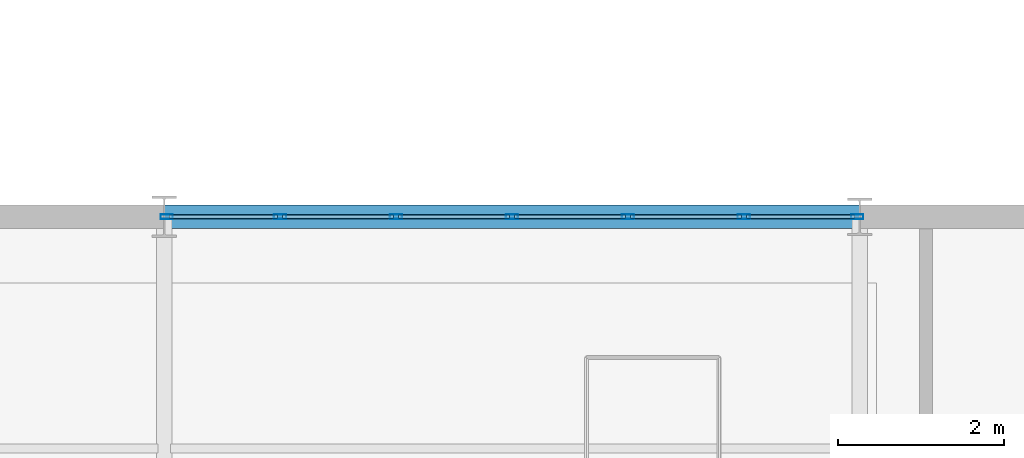
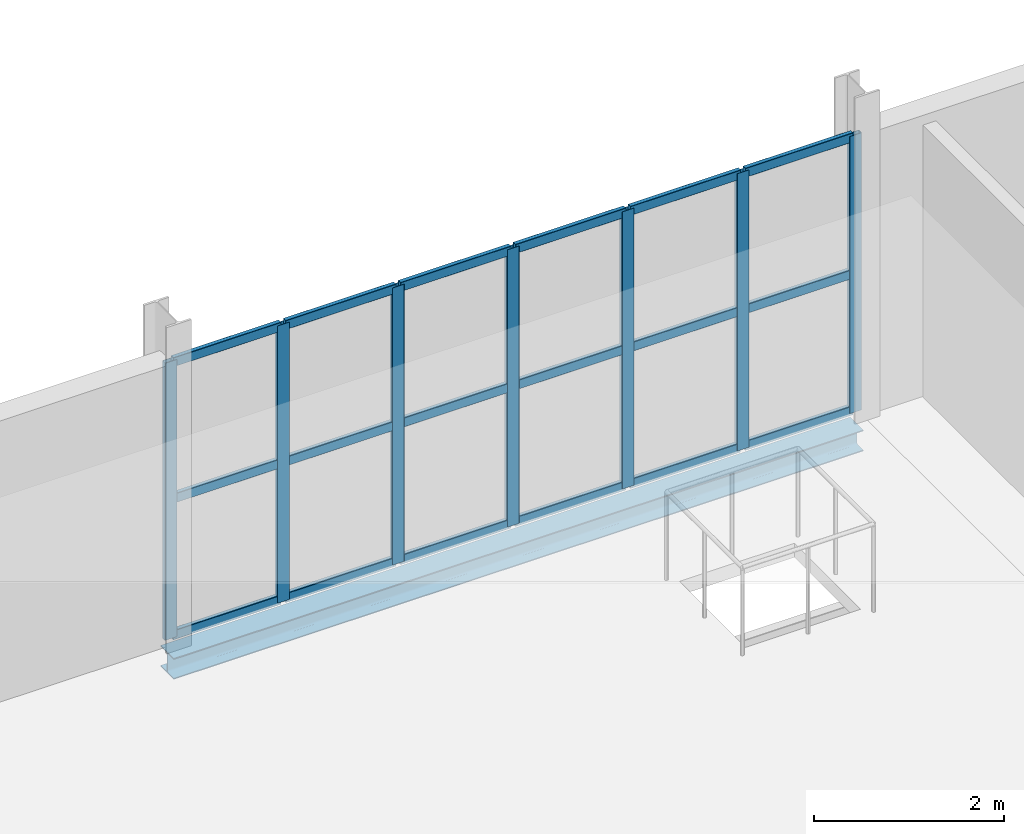
# One storey, part 27 of 65: 25 members, 1 beam, 1 element without a shape of its own.
"""IFC4 building model written with IfcOpenShell, lengths in metres."""

from ifc_helpers import new_model, si_unit, direction, frame, origin, origin_2d, place, context, subcontext, project, spatial, hollow_rectangle, i_section, extrude, material, layer, layer_set, material_profile, profile_set, type_object, element, aggregate, save


model = new_model("IFC4")

# Units and contexts
model_context = context("Model", 3, precision=1e-05, world=origin(), true_north=direction((0.0, 1.0)))
body_context = subcontext(model_context, "Body", "Model", "MODEL_VIEW")
ifc_project = project(units=[si_unit("LENGTHUNIT", "METRE"), si_unit("AREAUNIT", "SQUARE_METRE"), si_unit("VOLUMEUNIT", "CUBIC_METRE"), si_unit("PLANEANGLEUNIT", "RADIAN"), si_unit("MASSUNIT", "GRAM", prefix="KILO")], contexts=[model_context])

# Site, building, storey
site_placement = place(None, origin())
site = spatial("IfcSite", under=ifc_project, at=site_placement, CompositionType="ELEMENT")
building_placement = place(site_placement, origin())
building = spatial("IfcBuilding", under=site, at=building_placement, Name="Qalvenar Corner Mobility Hub", CompositionType="ELEMENT")
storey_placement = place(building_placement, frame((0.0, 0.0, 17.39990234375)))
storey = spatial("IfcBuildingStorey", under=building, at=storey_placement, Name="L04", CompositionType="ELEMENT", Elevation=17.39990234375)

# Beam
ifc_material_1 = material(Name="Steel S355", Category="steel")
ifc_material_profile_1 = material_profile(ifc_material_1, i_section(OverallWidth=0.280029296875, OverallDepth=0.27001953125, WebThickness=0.008056640625, FlangeThickness=0.012939453125, FilletRadius=0.02392578125, at=origin_2d()), Name="HEA280")
ifc_profile_set_1 = profile_set([ifc_material_profile_1], Name="Steel S355")
beam_type = type_object("IfcBeamType", Name="BM-SPN280", PredefinedType="SPANDREL", material=ifc_profile_set_1)
beam_placement = place(storey_placement, frame((16.800048828125, 42.0, -0.31494140625), z_axis=(1.0, 0.0, 0.0), x_axis=(0.0, 1.0, 0.0)))
element("IfcBeam", 1, at=beam_placement, inside=storey, type_object=beam_type, Name="Primary Steel Girder GX-2623", PredefinedType="SPANDREL", context=body_context, shape_type="SweptSolid", body=[
    extrude(i_section(OverallWidth=0.280029296875, OverallDepth=0.27001953125, WebThickness=0.008056640625, FlangeThickness=0.012939453125, FilletRadius=0.02392578125, at=origin_2d()), origin(), (0.0, 0.0, 1.0), 8.39990234375),
])

# Curtain wall, members
ifc_material_2 = material(Name="Anodised Aluminium and Low-E Glazing", Category="aluminium")
ifc_layer = layer(ifc_material_2, 0.14990234375)
ifc_layer_set = layer_set([ifc_layer], Name="Anodised Aluminium and Low-E Glazing")
curtain_wall_type = type_object("IfcCurtainWallType", Name="CW-CIV-84X40", PredefinedType="NOTDEFINED", material=ifc_layer_set)
curtain_wall_placement = place(storey_placement, origin())
curtain_wall = element("IfcCurtainWall", 2, at=curtain_wall_placement, inside=storey, type_object=curtain_wall_type, Name="Glazed Curtain Wall CW-V3-L04-N2", PredefinedType="NOTDEFINED")
ifc_material_3 = material(Name="Anodised Aluminium 6063-T6", Category="aluminium")
ifc_material_profile_2 = material_profile(ifc_material_3, hollow_rectangle(XDim=0.06005859375, YDim=0.14990234375, WallThickness=0.00390625, InnerFilletRadius=0.00390625, OuterFilletRadius=0.008056640625, at=origin_2d()), Name="RHS150x60x4")
ifc_profile_set_2 = profile_set([ifc_material_profile_2], Name="Anodised Aluminium 6063-T6")
member_type_1 = type_object("IfcMemberType", Name="CW-MUL150", PredefinedType="MULLION", material=ifc_profile_set_2)
member_1_placement = place(storey_placement, frame((25.169921875, 42.0, 0.0), z_axis=(0.0, 0.0, 1.0), x_axis=(0.0, -1.0, 0.0)))
member_1 = element("IfcMember", 3, at=member_1_placement, type_object=member_type_1, Name="CW-05 mullion 1", PredefinedType="MULLION", context=body_context, shape_type="SweptSolid", body=[
    extrude(hollow_rectangle(XDim=0.06005859375, YDim=0.14990234375, WallThickness=0.00390625, InnerFilletRadius=0.00390625, OuterFilletRadius=0.008056640625, at=origin_2d()), origin(), (0.0, 0.0, 1.0), 3.570068359375),
])
member_2_placement = place(storey_placement, frame((23.800048828125, 42.0, 0.0), z_axis=(0.0, 0.0, 1.0), x_axis=(0.0, -1.0, 0.0)))
member_2 = element("IfcMember", 4, at=member_2_placement, type_object=member_type_1, Name="CW-05 mullion 2", PredefinedType="MULLION", context=body_context, shape_type="SweptSolid", body=[
    extrude(hollow_rectangle(XDim=0.06005859375, YDim=0.14990234375, WallThickness=0.00390625, InnerFilletRadius=0.00390625, OuterFilletRadius=0.008056640625, at=origin_2d()), origin(), (0.0, 0.0, 1.0), 3.570068359375),
])
member_3_placement = place(storey_placement, frame((22.39990234375, 42.0, 0.0), z_axis=(0.0, 0.0, 1.0), x_axis=(0.0, -1.0, 0.0)))
member_3 = element("IfcMember", 5, at=member_3_placement, type_object=member_type_1, Name="CW-05 mullion 3", PredefinedType="MULLION", context=body_context, shape_type="SweptSolid", body=[
    extrude(hollow_rectangle(XDim=0.06005859375, YDim=0.14990234375, WallThickness=0.00390625, InnerFilletRadius=0.00390625, OuterFilletRadius=0.008056640625, at=origin_2d()), origin(), (0.0, 0.0, 1.0), 3.570068359375),
])
member_4_placement = place(storey_placement, frame((21.0, 42.0, 0.0), z_axis=(0.0, 0.0, 1.0), x_axis=(0.0, -1.0, 0.0)))
member_4 = element("IfcMember", 6, at=member_4_placement, type_object=member_type_1, Name="CW-05 mullion 4", PredefinedType="MULLION", context=body_context, shape_type="SweptSolid", body=[
    extrude(hollow_rectangle(XDim=0.06005859375, YDim=0.14990234375, WallThickness=0.00390625, InnerFilletRadius=0.00390625, OuterFilletRadius=0.008056640625, at=origin_2d()), origin(), (0.0, 0.0, 1.0), 3.570068359375),
])
member_5_placement = place(storey_placement, frame((19.60009765625, 42.0, 0.0), z_axis=(0.0, 0.0, 1.0), x_axis=(0.0, -1.0, 0.0)))
member_5 = element("IfcMember", 7, at=member_5_placement, type_object=member_type_1, Name="CW-05 mullion 5", PredefinedType="MULLION", context=body_context, shape_type="SweptSolid", body=[
    extrude(hollow_rectangle(XDim=0.06005859375, YDim=0.14990234375, WallThickness=0.00390625, InnerFilletRadius=0.00390625, OuterFilletRadius=0.008056640625, at=origin_2d()), origin(), (0.0, 0.0, 1.0), 3.570068359375),
])
member_6_placement = place(storey_placement, frame((18.199951171875, 42.0, 0.0), z_axis=(0.0, 0.0, 1.0), x_axis=(0.0, -1.0, 0.0)))
member_6 = element("IfcMember", 8, at=member_6_placement, type_object=member_type_1, Name="CW-05 mullion 6", PredefinedType="MULLION", context=body_context, shape_type="SweptSolid", body=[
    extrude(hollow_rectangle(XDim=0.06005859375, YDim=0.14990234375, WallThickness=0.00390625, InnerFilletRadius=0.00390625, OuterFilletRadius=0.008056640625, at=origin_2d()), origin(), (0.0, 0.0, 1.0), 3.570068359375),
])
member_7_placement = place(storey_placement, frame((16.830078125, 42.0, 0.0), z_axis=(0.0, 0.0, 1.0), x_axis=(0.0, -1.0, 0.0)))
member_7 = element("IfcMember", 9, at=member_7_placement, type_object=member_type_1, Name="CW-05 mullion 7", PredefinedType="MULLION", context=body_context, shape_type="SweptSolid", body=[
    extrude(hollow_rectangle(XDim=0.06005859375, YDim=0.14990234375, WallThickness=0.00390625, InnerFilletRadius=0.00390625, OuterFilletRadius=0.008056640625, at=origin_2d()), origin(), (0.0, 0.0, 1.0), 3.570068359375),
])
ifc_material_profile_3 = material_profile(ifc_material_3, hollow_rectangle(XDim=0.054931640625, YDim=0.1201171875, WallThickness=0.00341796875, InnerFilletRadius=0.00341796875, OuterFilletRadius=0.007080078125, at=origin_2d()), Name="RHS120x55x3.5")
ifc_profile_set_3 = profile_set([ifc_material_profile_3], Name="Anodised Aluminium 6063-T6")
member_type_2 = type_object("IfcMemberType", Name="CW-TRN120", PredefinedType="USERDEFINED", material=ifc_profile_set_3)
member_8_placement = place(storey_placement, frame((25.139892578125, 42.0, 0.027587890625), z_axis=(-1.0, 0.0, 0.0), x_axis=(0.0, -1.0, 0.0)))
member_8 = element("IfcMember", 10, at=member_8_placement, type_object=member_type_2, Name="CW-05 transom 1.1", ObjectType="TRANSOM", PredefinedType="USERDEFINED", context=body_context, shape_type="SweptSolid", body=[
    extrude(hollow_rectangle(XDim=0.054931640625, YDim=0.1201171875, WallThickness=0.00341796875, InnerFilletRadius=0.00341796875, OuterFilletRadius=0.007080078125, at=origin_2d()), origin(), (0.0, 0.0, 1.0), 1.309814453125),
])
member_9_placement = place(storey_placement, frame((25.139892578125, 42.0, 1.78515625), z_axis=(-1.0, 0.0, 0.0), x_axis=(0.0, -1.0, 0.0)))
member_9 = element("IfcMember", 11, at=member_9_placement, type_object=member_type_2, Name="CW-05 transom 1.2", ObjectType="TRANSOM", PredefinedType="USERDEFINED", context=body_context, shape_type="SweptSolid", body=[
    extrude(hollow_rectangle(XDim=0.054931640625, YDim=0.1201171875, WallThickness=0.00341796875, InnerFilletRadius=0.00341796875, OuterFilletRadius=0.007080078125, at=origin_2d()), origin(), (0.0, 0.0, 1.0), 1.309814453125),
])
member_10_placement = place(storey_placement, frame((25.139892578125, 42.0, 3.54248046875), z_axis=(-1.0, 0.0, 0.0), x_axis=(0.0, -1.0, 0.0)))
member_10 = element("IfcMember", 12, at=member_10_placement, type_object=member_type_2, Name="CW-05 transom 1.3", ObjectType="TRANSOM", PredefinedType="USERDEFINED", context=body_context, shape_type="SweptSolid", body=[
    extrude(hollow_rectangle(XDim=0.054931640625, YDim=0.1201171875, WallThickness=0.00341796875, InnerFilletRadius=0.00341796875, OuterFilletRadius=0.007080078125, at=origin_2d()), origin(), (0.0, 0.0, 1.0), 1.309814453125),
])
member_11_placement = place(storey_placement, frame((23.77001953125, 42.0, 0.027587890625), z_axis=(-1.0, 0.0, 0.0), x_axis=(0.0, -1.0, 0.0)))
member_11 = element("IfcMember", 13, at=member_11_placement, type_object=member_type_2, Name="CW-05 transom 2.1", ObjectType="TRANSOM", PredefinedType="USERDEFINED", context=body_context, shape_type="SweptSolid", body=[
    extrude(hollow_rectangle(XDim=0.054931640625, YDim=0.1201171875, WallThickness=0.00341796875, InnerFilletRadius=0.00341796875, OuterFilletRadius=0.007080078125, at=origin_2d()), origin(), (0.0, 0.0, 1.0), 1.340087890625),
])
member_12_placement = place(storey_placement, frame((23.77001953125, 42.0, 1.78515625), z_axis=(-1.0, 0.0, 0.0), x_axis=(0.0, -1.0, 0.0)))
member_12 = element("IfcMember", 14, at=member_12_placement, type_object=member_type_2, Name="CW-05 transom 2.2", ObjectType="TRANSOM", PredefinedType="USERDEFINED", context=body_context, shape_type="SweptSolid", body=[
    extrude(hollow_rectangle(XDim=0.054931640625, YDim=0.1201171875, WallThickness=0.00341796875, InnerFilletRadius=0.00341796875, OuterFilletRadius=0.007080078125, at=origin_2d()), origin(), (0.0, 0.0, 1.0), 1.340087890625),
])
member_13_placement = place(storey_placement, frame((23.77001953125, 42.0, 3.54248046875), z_axis=(-1.0, 0.0, 0.0), x_axis=(0.0, -1.0, 0.0)))
member_13 = element("IfcMember", 15, at=member_13_placement, type_object=member_type_2, Name="CW-05 transom 2.3", ObjectType="TRANSOM", PredefinedType="USERDEFINED", context=body_context, shape_type="SweptSolid", body=[
    extrude(hollow_rectangle(XDim=0.054931640625, YDim=0.1201171875, WallThickness=0.00341796875, InnerFilletRadius=0.00341796875, OuterFilletRadius=0.007080078125, at=origin_2d()), origin(), (0.0, 0.0, 1.0), 1.340087890625),
])
member_14_placement = place(storey_placement, frame((22.3701171875, 42.0, 0.027587890625), z_axis=(-1.0, 0.0, 0.0), x_axis=(0.0, -1.0, 0.0)))
member_14 = element("IfcMember", 16, at=member_14_placement, type_object=member_type_2, Name="CW-05 transom 3.1", ObjectType="TRANSOM", PredefinedType="USERDEFINED", context=body_context, shape_type="SweptSolid", body=[
    extrude(hollow_rectangle(XDim=0.054931640625, YDim=0.1201171875, WallThickness=0.00341796875, InnerFilletRadius=0.00341796875, OuterFilletRadius=0.007080078125, at=origin_2d()), origin(), (0.0, 0.0, 1.0), 1.340087890625),
])
member_15_placement = place(storey_placement, frame((22.3701171875, 42.0, 1.78515625), z_axis=(-1.0, 0.0, 0.0), x_axis=(0.0, -1.0, 0.0)))
member_15 = element("IfcMember", 17, at=member_15_placement, type_object=member_type_2, Name="CW-05 transom 3.2", ObjectType="TRANSOM", PredefinedType="USERDEFINED", context=body_context, shape_type="SweptSolid", body=[
    extrude(hollow_rectangle(XDim=0.054931640625, YDim=0.1201171875, WallThickness=0.00341796875, InnerFilletRadius=0.00341796875, OuterFilletRadius=0.007080078125, at=origin_2d()), origin(), (0.0, 0.0, 1.0), 1.340087890625),
])
member_16_placement = place(storey_placement, frame((22.3701171875, 42.0, 3.54248046875), z_axis=(-1.0, 0.0, 0.0), x_axis=(0.0, -1.0, 0.0)))
member_16 = element("IfcMember", 18, at=member_16_placement, type_object=member_type_2, Name="CW-05 transom 3.3", ObjectType="TRANSOM", PredefinedType="USERDEFINED", context=body_context, shape_type="SweptSolid", body=[
    extrude(hollow_rectangle(XDim=0.054931640625, YDim=0.1201171875, WallThickness=0.00341796875, InnerFilletRadius=0.00341796875, OuterFilletRadius=0.007080078125, at=origin_2d()), origin(), (0.0, 0.0, 1.0), 1.340087890625),
])
member_17_placement = place(storey_placement, frame((20.969970703125, 42.0, 0.027587890625), z_axis=(-1.0, 0.0, 0.0), x_axis=(0.0, -1.0, 0.0)))
member_17 = element("IfcMember", 19, at=member_17_placement, type_object=member_type_2, Name="CW-05 transom 4.1", ObjectType="TRANSOM", PredefinedType="USERDEFINED", context=body_context, shape_type="SweptSolid", body=[
    extrude(hollow_rectangle(XDim=0.054931640625, YDim=0.1201171875, WallThickness=0.00341796875, InnerFilletRadius=0.00341796875, OuterFilletRadius=0.007080078125, at=origin_2d()), origin(), (0.0, 0.0, 1.0), 1.340087890625),
])
member_18_placement = place(storey_placement, frame((20.969970703125, 42.0, 1.78515625), z_axis=(-1.0, 0.0, 0.0), x_axis=(0.0, -1.0, 0.0)))
member_18 = element("IfcMember", 20, at=member_18_placement, type_object=member_type_2, Name="CW-05 transom 4.2", ObjectType="TRANSOM", PredefinedType="USERDEFINED", context=body_context, shape_type="SweptSolid", body=[
    extrude(hollow_rectangle(XDim=0.054931640625, YDim=0.1201171875, WallThickness=0.00341796875, InnerFilletRadius=0.00341796875, OuterFilletRadius=0.007080078125, at=origin_2d()), origin(), (0.0, 0.0, 1.0), 1.340087890625),
])
member_19_placement = place(storey_placement, frame((20.969970703125, 42.0, 3.54248046875), z_axis=(-1.0, 0.0, 0.0), x_axis=(0.0, -1.0, 0.0)))
member_19 = element("IfcMember", 21, at=member_19_placement, type_object=member_type_2, Name="CW-05 transom 4.3", ObjectType="TRANSOM", PredefinedType="USERDEFINED", context=body_context, shape_type="SweptSolid", body=[
    extrude(hollow_rectangle(XDim=0.054931640625, YDim=0.1201171875, WallThickness=0.00341796875, InnerFilletRadius=0.00341796875, OuterFilletRadius=0.007080078125, at=origin_2d()), origin(), (0.0, 0.0, 1.0), 1.340087890625),
])
member_20_placement = place(storey_placement, frame((19.570068359375, 42.0, 0.027587890625), z_axis=(-1.0, 0.0, 0.0), x_axis=(0.0, -1.0, 0.0)))
member_20 = element("IfcMember", 22, at=member_20_placement, type_object=member_type_2, Name="CW-05 transom 5.1", ObjectType="TRANSOM", PredefinedType="USERDEFINED", context=body_context, shape_type="SweptSolid", body=[
    extrude(hollow_rectangle(XDim=0.054931640625, YDim=0.1201171875, WallThickness=0.00341796875, InnerFilletRadius=0.00341796875, OuterFilletRadius=0.007080078125, at=origin_2d()), origin(), (0.0, 0.0, 1.0), 1.340087890625),
])
member_21_placement = place(storey_placement, frame((19.570068359375, 42.0, 1.78515625), z_axis=(-1.0, 0.0, 0.0), x_axis=(0.0, -1.0, 0.0)))
member_21 = element("IfcMember", 23, at=member_21_placement, type_object=member_type_2, Name="CW-05 transom 5.2", ObjectType="TRANSOM", PredefinedType="USERDEFINED", context=body_context, shape_type="SweptSolid", body=[
    extrude(hollow_rectangle(XDim=0.054931640625, YDim=0.1201171875, WallThickness=0.00341796875, InnerFilletRadius=0.00341796875, OuterFilletRadius=0.007080078125, at=origin_2d()), origin(), (0.0, 0.0, 1.0), 1.340087890625),
])
member_22_placement = place(storey_placement, frame((19.570068359375, 42.0, 3.54248046875), z_axis=(-1.0, 0.0, 0.0), x_axis=(0.0, -1.0, 0.0)))
member_22 = element("IfcMember", 24, at=member_22_placement, type_object=member_type_2, Name="CW-05 transom 5.3", ObjectType="TRANSOM", PredefinedType="USERDEFINED", context=body_context, shape_type="SweptSolid", body=[
    extrude(hollow_rectangle(XDim=0.054931640625, YDim=0.1201171875, WallThickness=0.00341796875, InnerFilletRadius=0.00341796875, OuterFilletRadius=0.007080078125, at=origin_2d()), origin(), (0.0, 0.0, 1.0), 1.340087890625),
])
member_23_placement = place(storey_placement, frame((18.169921875, 42.0, 0.027587890625), z_axis=(-1.0, 0.0, 0.0), x_axis=(0.0, -1.0, 0.0)))
member_23 = element("IfcMember", 25, at=member_23_placement, type_object=member_type_2, Name="CW-05 transom 6.1", ObjectType="TRANSOM", PredefinedType="USERDEFINED", context=body_context, shape_type="SweptSolid", body=[
    extrude(hollow_rectangle(XDim=0.054931640625, YDim=0.1201171875, WallThickness=0.00341796875, InnerFilletRadius=0.00341796875, OuterFilletRadius=0.007080078125, at=origin_2d()), origin(), (0.0, 0.0, 1.0), 1.309814453125),
])
member_24_placement = place(storey_placement, frame((18.169921875, 42.0, 1.78515625), z_axis=(-1.0, 0.0, 0.0), x_axis=(0.0, -1.0, 0.0)))
member_24 = element("IfcMember", 26, at=member_24_placement, type_object=member_type_2, Name="CW-05 transom 6.2", ObjectType="TRANSOM", PredefinedType="USERDEFINED", context=body_context, shape_type="SweptSolid", body=[
    extrude(hollow_rectangle(XDim=0.054931640625, YDim=0.1201171875, WallThickness=0.00341796875, InnerFilletRadius=0.00341796875, OuterFilletRadius=0.007080078125, at=origin_2d()), origin(), (0.0, 0.0, 1.0), 1.309814453125),
])
member_25_placement = place(storey_placement, frame((18.169921875, 42.0, 3.54248046875), z_axis=(-1.0, 0.0, 0.0), x_axis=(0.0, -1.0, 0.0)))
member_25 = element("IfcMember", 27, at=member_25_placement, type_object=member_type_2, Name="CW-05 transom 6.3", ObjectType="TRANSOM", PredefinedType="USERDEFINED", context=body_context, shape_type="SweptSolid", body=[
    extrude(hollow_rectangle(XDim=0.054931640625, YDim=0.1201171875, WallThickness=0.00341796875, InnerFilletRadius=0.00341796875, OuterFilletRadius=0.007080078125, at=origin_2d()), origin(), (0.0, 0.0, 1.0), 1.309814453125),
])
aggregate(curtain_wall, [member_1, member_2, member_3, member_4, member_5, member_6, member_7, member_8, member_9, member_10, member_11, member_12, member_13, member_14, member_15, member_16, member_17, member_18, member_19, member_20, member_21, member_22, member_23, member_24, member_25])

save(model, "model.ifc")
